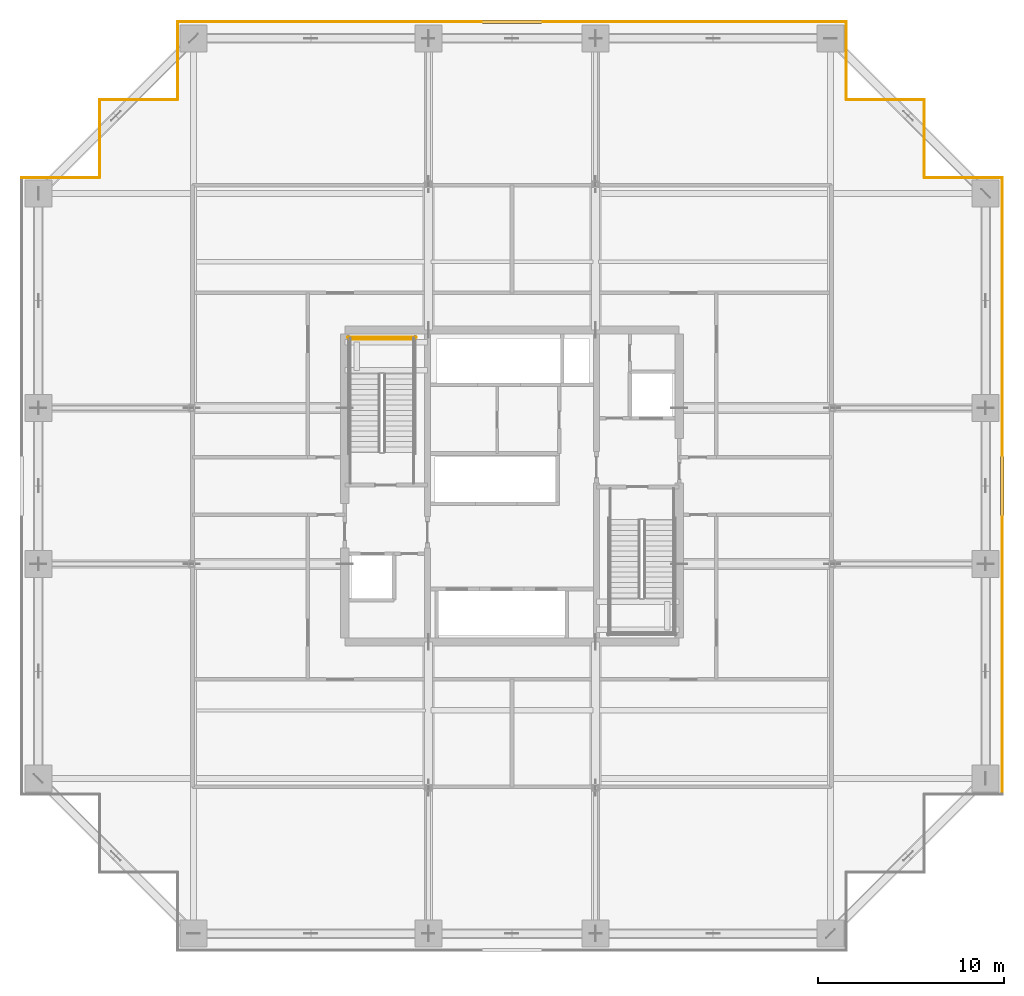
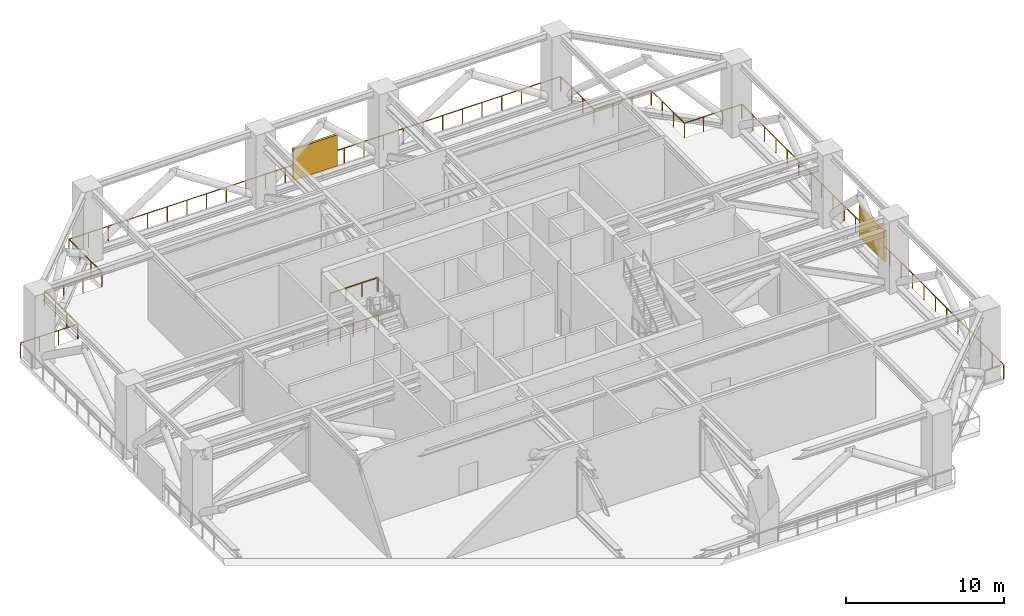
# One storey, part 21 of 21: 12 railings, 2 shading devices.
"""IFC4 building model written with IfcOpenShell, lengths in metres."""

from ifc_helpers import new_model, si_unit, direction, frame, origin, origin_2d, place, context, subcontext, project, spatial, rectangle, circle, extrude, source, transform, mapped, material, type_object, element, save


model = new_model("IFC4")

# Units and contexts
model_context = context("Model", 3, precision=1e-05, world=origin(), true_north=direction((0.0, 1.0)))
body_context = subcontext(model_context, "Body", "Model", "MODEL_VIEW")
ifc_project = project(units=[si_unit("LENGTHUNIT", "METRE"), si_unit("AREAUNIT", "SQUARE_METRE"), si_unit("VOLUMEUNIT", "CUBIC_METRE"), si_unit("PLANEANGLEUNIT", "RADIAN"), si_unit("MASSUNIT", "GRAM", prefix="KILO")], contexts=[model_context])

# Site, building, storey
site_placement = place(None, origin())
site = spatial("IfcSite", under=ifc_project, at=site_placement, CompositionType="ELEMENT")
building_placement = place(site_placement, origin())
building = spatial("IfcBuilding", under=site, at=building_placement, Name="Serunith Strait Residences", CompositionType="ELEMENT")
storey_placement = place(building_placement, frame((0.0, 0.0, 109.199951171875)))
storey = spatial("IfcBuildingStorey", under=building, at=storey_placement, Name="L27", CompositionType="ELEMENT", Elevation=109.199951171875)

# Railings
ifc_material_1 = material(Name="Brushed stainless steel 316L", Category="steel")
railing_type_1 = type_object("IfcRailingType", Name="RLG-STAIR-GUARD", PredefinedType="BALUSTRADE", material=ifc_material_1)
railing_1_placement = place(storey_placement, frame((27.14990234375, 33.10009765625, 3.0)))
element("IfcRailing", 1, at=railing_1_placement, inside=storey, type_object=railing_type_1, Name="L27 ST-1 stair guard 5", PredefinedType="BALUSTRADE", context=body_context, shape_type="SweptSolid", body=[
    extrude(circle(Radius=0.02392578125, at=origin_2d()), frame((-0.001953125, 0.0, 1.076171875), z_axis=(-1.0, 0.0, 0.0), x_axis=(0.0, -1.0, 0.0)), (0.0, 0.0, 1.0), 3.49609375),
    extrude(circle(Radius=0.02099609375, at=origin_2d()), origin(), (0.0, 0.0, 1.0), 1.050048828125),
    extrude(circle(Radius=0.02099609375, at=origin_2d()), frame((-1.166748046875, 0.0, 0.0)), (0.0, 0.0, 1.0), 1.050048828125),
    extrude(circle(Radius=0.02099609375, at=origin_2d()), frame((-2.333251953125, 0.0, 0.0)), (0.0, 0.0, 1.0), 1.050048828125),
    extrude(circle(Radius=0.02099609375, at=origin_2d()), frame((-3.5, 0.0, 0.0)), (0.0, 0.0, 1.0), 1.050048828125),
])
railing_2_placement = place(storey_placement, frame((27.25, 33.199951171875, 0.0)))
element("IfcRailing", 2, at=railing_2_placement, inside=storey, type_object=railing_type_1, Name="L27 ST-1 stair guard 12", PredefinedType="BALUSTRADE", context=body_context, shape_type="SweptSolid", body=[
    extrude(circle(Radius=0.02392578125, at=origin_2d()), frame((-0.001953125, 0.0, 1.076171875), z_axis=(-1.0, 0.0, 0.0), x_axis=(0.0, -1.0, 0.0)), (0.0, 0.0, 1.0), 3.696044921875),
    extrude(circle(Radius=0.02099609375, at=origin_2d()), origin(), (0.0, 0.0, 1.0), 1.050048828125),
    extrude(circle(Radius=0.02099609375, at=origin_2d()), frame((-0.925048828125, 0.0, 0.0)), (0.0, 0.0, 1.0), 1.050048828125),
    extrude(circle(Radius=0.02099609375, at=origin_2d()), frame((-1.85009765625, 0.0, 0.0)), (0.0, 0.0, 1.0), 1.050048828125),
    extrude(circle(Radius=0.02099609375, at=origin_2d()), frame((-2.77490234375, 0.0, 0.0)), (0.0, 0.0, 1.0), 1.050048828125),
    extrude(circle(Radius=0.02099609375, at=origin_2d()), frame((-3.699951171875, 0.0, 0.0)), (0.0, 0.0, 1.0), 1.050048828125),
])
ifc_material_2 = material(Name="Anodised Aluminium Wind-Floor Safety Guard", Category="aluminium")
railing_type_2 = type_object("IfcRailingType", Name="RLG-WIND-1150", PredefinedType="BALUSTRADE", material=ifc_material_2)
railing_3_placement = place(storey_placement, frame((58.800048828125, 8.60009765625, 0.0)))
element("IfcRailing", 3, at=railing_3_placement, inside=storey, type_object=railing_type_2, Name="L27 Porous Wind-Floor Safety Balustrade 06", PredefinedType="BALUSTRADE", context=body_context, shape_type="SweptSolid", body=[
    extrude(circle(Radius=0.02392578125, at=origin_2d()), frame((0.0, 0.001953125, 1.1259765625), z_axis=(0.0, 1.0, 0.0), x_axis=(-1.0, 0.0, 0.0)), (0.0, 0.0, 1.0), 33.196044921875),
    extrude(circle(Radius=0.02099609375, at=origin_2d()), origin(), (0.0, 0.0, 1.0), 1.099853515625),
    extrude(circle(Radius=0.02099609375, at=origin_2d()), frame((0.0, 1.443359375, 0.0)), (0.0, 0.0, 1.0), 1.099853515625),
    extrude(circle(Radius=0.02099609375, at=origin_2d()), frame((0.0, 2.886962890625, 0.0)), (0.0, 0.0, 1.0), 1.099853515625),
    extrude(circle(Radius=0.02099609375, at=origin_2d()), frame((0.0, 4.330322265625, 0.0)), (0.0, 0.0, 1.0), 1.099853515625),
    extrude(circle(Radius=0.02099609375, at=origin_2d()), frame((0.0, 5.77392578125, 0.0)), (0.0, 0.0, 1.0), 1.099853515625),
    extrude(circle(Radius=0.02099609375, at=origin_2d()), frame((0.0, 7.21728515625, 0.0)), (0.0, 0.0, 1.0), 1.099853515625),
    extrude(circle(Radius=0.02099609375, at=origin_2d()), frame((0.0, 8.660888671875, 0.0)), (0.0, 0.0, 1.0), 1.099853515625),
    extrude(circle(Radius=0.02099609375, at=origin_2d()), frame((0.0, 10.104248046875, 0.0)), (0.0, 0.0, 1.0), 1.099853515625),
    extrude(circle(Radius=0.02099609375, at=origin_2d()), frame((0.0, 11.5478515625, 0.0)), (0.0, 0.0, 1.0), 1.099853515625),
    extrude(circle(Radius=0.02099609375, at=origin_2d()), frame((0.0, 12.9912109375, 0.0)), (0.0, 0.0, 1.0), 1.099853515625),
    extrude(circle(Radius=0.02099609375, at=origin_2d()), frame((0.0, 14.434814453125, 0.0)), (0.0, 0.0, 1.0), 1.099853515625),
    extrude(circle(Radius=0.02099609375, at=origin_2d()), frame((0.0, 15.878173828125, 0.0)), (0.0, 0.0, 1.0), 1.099853515625),
    extrude(circle(Radius=0.02099609375, at=origin_2d()), frame((0.0, 17.32177734375, 0.0)), (0.0, 0.0, 1.0), 1.099853515625),
    extrude(circle(Radius=0.02099609375, at=origin_2d()), frame((0.0, 18.76513671875, 0.0)), (0.0, 0.0, 1.0), 1.099853515625),
    extrude(circle(Radius=0.02099609375, at=origin_2d()), frame((0.0, 20.208740234375, 0.0)), (0.0, 0.0, 1.0), 1.099853515625),
    extrude(circle(Radius=0.02099609375, at=origin_2d()), frame((0.0, 21.652099609375, 0.0)), (0.0, 0.0, 1.0), 1.099853515625),
    extrude(circle(Radius=0.02099609375, at=origin_2d()), frame((0.0, 23.095703125, 0.0)), (0.0, 0.0, 1.0), 1.099853515625),
    extrude(circle(Radius=0.02099609375, at=origin_2d()), frame((0.0, 24.5390625, 0.0)), (0.0, 0.0, 1.0), 1.099853515625),
    extrude(circle(Radius=0.02099609375, at=origin_2d()), frame((0.0, 25.982666015625, 0.0)), (0.0, 0.0, 1.0), 1.099853515625),
    extrude(circle(Radius=0.02099609375, at=origin_2d()), frame((0.0, 27.426025390625, 0.0)), (0.0, 0.0, 1.0), 1.099853515625),
    extrude(circle(Radius=0.02099609375, at=origin_2d()), frame((0.0, 28.86962890625, 0.0)), (0.0, 0.0, 1.0), 1.099853515625),
    extrude(circle(Radius=0.02099609375, at=origin_2d()), frame((0.0, 30.31298828125, 0.0)), (0.0, 0.0, 1.0), 1.099853515625),
    extrude(circle(Radius=0.02099609375, at=origin_2d()), frame((0.0, 31.756591796875, 0.0)), (0.0, 0.0, 1.0), 1.099853515625),
    extrude(circle(Radius=0.02099609375, at=origin_2d()), frame((0.0, 33.199951171875, 0.0)), (0.0, 0.0, 1.0), 1.099853515625),
])
railing_4_placement = place(storey_placement, frame((58.800048828125, 41.800048828125, 0.0)))
element("IfcRailing", 4, at=railing_4_placement, inside=storey, type_object=railing_type_2, Name="L27 Porous Wind-Floor Safety Balustrade 07", PredefinedType="BALUSTRADE", context=body_context, shape_type="SweptSolid", body=[
    extrude(circle(Radius=0.02392578125, at=origin_2d()), frame((-0.001953125, 0.0, 1.1259765625), z_axis=(-1.0, 0.0, 0.0), x_axis=(0.0, -1.0, 0.0)), (0.0, 0.0, 1.0), 4.196044921875),
    extrude(circle(Radius=0.02099609375, at=origin_2d()), origin(), (0.0, 0.0, 1.0), 1.099853515625),
    extrude(circle(Radius=0.02099609375, at=origin_2d()), frame((-1.39990234375, 0.0, 0.0)), (0.0, 0.0, 1.0), 1.099853515625),
    extrude(circle(Radius=0.02099609375, at=origin_2d()), frame((-2.800048828125, 0.0, 0.0)), (0.0, 0.0, 1.0), 1.099853515625),
    extrude(circle(Radius=0.02099609375, at=origin_2d()), frame((-4.199951171875, 0.0, 0.0)), (0.0, 0.0, 1.0), 1.099853515625),
])
railing_5_placement = place(storey_placement, frame((54.60009765625, 41.800048828125, 0.0)))
element("IfcRailing", 5, at=railing_5_placement, inside=storey, type_object=railing_type_2, Name="L27 Porous Wind-Floor Safety Balustrade 08", PredefinedType="BALUSTRADE", context=body_context, shape_type="SweptSolid", body=[
    extrude(circle(Radius=0.02392578125, at=origin_2d()), frame((0.0, 0.001953125, 1.1259765625), z_axis=(0.0, 1.0, 0.0), x_axis=(-1.0, 0.0, 0.0)), (0.0, 0.0, 1.0), 4.196044921875),
    extrude(circle(Radius=0.02099609375, at=origin_2d()), origin(), (0.0, 0.0, 1.0), 1.099853515625),
    extrude(circle(Radius=0.02099609375, at=origin_2d()), frame((0.0, 1.39990234375, 0.0)), (0.0, 0.0, 1.0), 1.099853515625),
    extrude(circle(Radius=0.02099609375, at=origin_2d()), frame((0.0, 2.800048828125, 0.0)), (0.0, 0.0, 1.0), 1.099853515625),
    extrude(circle(Radius=0.02099609375, at=origin_2d()), frame((0.0, 4.199951171875, 0.0)), (0.0, 0.0, 1.0), 1.099853515625),
])
railing_6_placement = place(storey_placement, frame((54.60009765625, 46.0, 0.0)))
element("IfcRailing", 6, at=railing_6_placement, inside=storey, type_object=railing_type_2, Name="L27 Porous Wind-Floor Safety Balustrade 09", PredefinedType="BALUSTRADE", context=body_context, shape_type="SweptSolid", body=[
    extrude(circle(Radius=0.02392578125, at=origin_2d()), frame((-0.001953125, 0.0, 1.1259765625), z_axis=(-1.0, 0.0, 0.0), x_axis=(0.0, -1.0, 0.0)), (0.0, 0.0, 1.0), 4.1962890625),
    extrude(circle(Radius=0.02099609375, at=origin_2d()), origin(), (0.0, 0.0, 1.0), 1.099853515625),
    extrude(circle(Radius=0.02099609375, at=origin_2d()), frame((-1.400146484375, 0.0, 0.0)), (0.0, 0.0, 1.0), 1.099853515625),
    extrude(circle(Radius=0.02099609375, at=origin_2d()), frame((-2.800048828125, 0.0, 0.0)), (0.0, 0.0, 1.0), 1.099853515625),
    extrude(circle(Radius=0.02099609375, at=origin_2d()), frame((-4.2001953125, 0.0, 0.0)), (0.0, 0.0, 1.0), 1.099853515625),
])
railing_7_placement = place(storey_placement, frame((50.39990234375, 46.0, 0.0)))
element("IfcRailing", 7, at=railing_7_placement, inside=storey, type_object=railing_type_2, Name="L27 Porous Wind-Floor Safety Balustrade 10", PredefinedType="BALUSTRADE", context=body_context, shape_type="SweptSolid", body=[
    extrude(circle(Radius=0.02392578125, at=origin_2d()), frame((0.0, 0.001953125, 1.1259765625), z_axis=(0.0, 1.0, 0.0), x_axis=(-1.0, 0.0, 0.0)), (0.0, 0.0, 1.0), 4.196044921875),
    extrude(circle(Radius=0.02099609375, at=origin_2d()), origin(), (0.0, 0.0, 1.0), 1.099853515625),
    extrude(circle(Radius=0.02099609375, at=origin_2d()), frame((0.0, 1.39990234375, 0.0)), (0.0, 0.0, 1.0), 1.099853515625),
    extrude(circle(Radius=0.02099609375, at=origin_2d()), frame((0.0, 2.800048828125, 0.0)), (0.0, 0.0, 1.0), 1.099853515625),
    extrude(circle(Radius=0.02099609375, at=origin_2d()), frame((0.0, 4.199951171875, 0.0)), (0.0, 0.0, 1.0), 1.099853515625),
])
railing_8_placement = place(storey_placement, frame((50.39990234375, 50.199951171875, 0.0)))
element("IfcRailing", 8, at=railing_8_placement, inside=storey, type_object=railing_type_2, Name="L27 Porous Wind-Floor Safety Balustrade 11", PredefinedType="BALUSTRADE", context=body_context, shape_type="SweptSolid", body=[
    extrude(circle(Radius=0.02392578125, at=origin_2d()), frame((-0.001953125, 0.0, 1.1259765625), z_axis=(-1.0, 0.0, 0.0), x_axis=(0.0, -1.0, 0.0)), (0.0, 0.0, 1.0), 35.99609375),
    extrude(circle(Radius=0.02099609375, at=origin_2d()), origin(), (0.0, 0.0, 1.0), 1.099853515625),
    extrude(circle(Radius=0.02099609375, at=origin_2d()), frame((-1.43994140625, 0.0, 0.0)), (0.0, 0.0, 1.0), 1.099853515625),
    extrude(circle(Radius=0.02099609375, at=origin_2d()), frame((-2.8798828125, 0.0, 0.0)), (0.0, 0.0, 1.0), 1.099853515625),
    extrude(circle(Radius=0.02099609375, at=origin_2d()), frame((-4.320068359375, 0.0, 0.0)), (0.0, 0.0, 1.0), 1.099853515625),
    extrude(circle(Radius=0.02099609375, at=origin_2d()), frame((-5.760009765625, 0.0, 0.0)), (0.0, 0.0, 1.0), 1.099853515625),
    extrude(circle(Radius=0.02099609375, at=origin_2d()), frame((-7.199951171875, 0.0, 0.0)), (0.0, 0.0, 1.0), 1.099853515625),
    extrude(circle(Radius=0.02099609375, at=origin_2d()), frame((-8.639892578125, 0.0, 0.0)), (0.0, 0.0, 1.0), 1.099853515625),
    extrude(circle(Radius=0.02099609375, at=origin_2d()), frame((-10.080078125, 0.0, 0.0)), (0.0, 0.0, 1.0), 1.099853515625),
    extrude(circle(Radius=0.02099609375, at=origin_2d()), frame((-11.52001953125, 0.0, 0.0)), (0.0, 0.0, 1.0), 1.099853515625),
    extrude(circle(Radius=0.02099609375, at=origin_2d()), frame((-12.9599609375, 0.0, 0.0)), (0.0, 0.0, 1.0), 1.099853515625),
    extrude(circle(Radius=0.02099609375, at=origin_2d()), frame((-14.39990234375, 0.0, 0.0)), (0.0, 0.0, 1.0), 1.099853515625),
    extrude(circle(Radius=0.02099609375, at=origin_2d()), frame((-15.840087890625, 0.0, 0.0)), (0.0, 0.0, 1.0), 1.099853515625),
    extrude(circle(Radius=0.02099609375, at=origin_2d()), frame((-17.280029296875, 0.0, 0.0)), (0.0, 0.0, 1.0), 1.099853515625),
    extrude(circle(Radius=0.02099609375, at=origin_2d()), frame((-18.719970703125, 0.0, 0.0)), (0.0, 0.0, 1.0), 1.099853515625),
    extrude(circle(Radius=0.02099609375, at=origin_2d()), frame((-20.159912109375, 0.0, 0.0)), (0.0, 0.0, 1.0), 1.099853515625),
    extrude(circle(Radius=0.02099609375, at=origin_2d()), frame((-21.60009765625, 0.0, 0.0)), (0.0, 0.0, 1.0), 1.099853515625),
    extrude(circle(Radius=0.02099609375, at=origin_2d()), frame((-23.0400390625, 0.0, 0.0)), (0.0, 0.0, 1.0), 1.099853515625),
    extrude(circle(Radius=0.02099609375, at=origin_2d()), frame((-24.47998046875, 0.0, 0.0)), (0.0, 0.0, 1.0), 1.099853515625),
    extrude(circle(Radius=0.02099609375, at=origin_2d()), frame((-25.919921875, 0.0, 0.0)), (0.0, 0.0, 1.0), 1.099853515625),
    extrude(circle(Radius=0.02099609375, at=origin_2d()), frame((-27.360107421875, 0.0, 0.0)), (0.0, 0.0, 1.0), 1.099853515625),
    extrude(circle(Radius=0.02099609375, at=origin_2d()), frame((-28.800048828125, 0.0, 0.0)), (0.0, 0.0, 1.0), 1.099853515625),
    extrude(circle(Radius=0.02099609375, at=origin_2d()), frame((-30.239990234375, 0.0, 0.0)), (0.0, 0.0, 1.0), 1.099853515625),
    extrude(circle(Radius=0.02099609375, at=origin_2d()), frame((-31.679931640625, 0.0, 0.0)), (0.0, 0.0, 1.0), 1.099853515625),
    extrude(circle(Radius=0.02099609375, at=origin_2d()), frame((-33.1201171875, 0.0, 0.0)), (0.0, 0.0, 1.0), 1.099853515625),
    extrude(circle(Radius=0.02099609375, at=origin_2d()), frame((-34.56005859375, 0.0, 0.0)), (0.0, 0.0, 1.0), 1.099853515625),
    extrude(circle(Radius=0.02099609375, at=origin_2d()), frame((-36.0, 0.0, 0.0)), (0.0, 0.0, 1.0), 1.099853515625),
])
railing_9_placement = place(storey_placement, frame((14.39990234375, 50.199951171875, 0.0)))
element("IfcRailing", 9, at=railing_9_placement, inside=storey, type_object=railing_type_2, Name="L27 Porous Wind-Floor Safety Balustrade 12", PredefinedType="BALUSTRADE", context=body_context, shape_type="SweptSolid", body=[
    extrude(circle(Radius=0.02392578125, at=origin_2d()), frame((0.0, -0.001953125, 1.1259765625), z_axis=(0.0, -1.0, 0.0), x_axis=(1.0, 0.0, 0.0)), (0.0, 0.0, 1.0), 4.196044921875),
    extrude(circle(Radius=0.02099609375, at=origin_2d()), origin(), (0.0, 0.0, 1.0), 1.099853515625),
    extrude(circle(Radius=0.02099609375, at=origin_2d()), frame((0.0, -1.39990234375, 0.0)), (0.0, 0.0, 1.0), 1.099853515625),
    extrude(circle(Radius=0.02099609375, at=origin_2d()), frame((0.0, -2.800048828125, 0.0)), (0.0, 0.0, 1.0), 1.099853515625),
    extrude(circle(Radius=0.02099609375, at=origin_2d()), frame((0.0, -4.199951171875, 0.0)), (0.0, 0.0, 1.0), 1.099853515625),
])
railing_10_placement = place(storey_placement, frame((14.39990234375, 46.0, 0.0)))
element("IfcRailing", 10, at=railing_10_placement, inside=storey, type_object=railing_type_2, Name="L27 Porous Wind-Floor Safety Balustrade 13", PredefinedType="BALUSTRADE", context=body_context, shape_type="SweptSolid", body=[
    extrude(circle(Radius=0.02392578125, at=origin_2d()), frame((-0.001953125, 0.0, 1.1259765625), z_axis=(-1.0, 0.0, 0.0), x_axis=(0.0, -1.0, 0.0)), (0.0, 0.0, 1.0), 4.196044921875),
    extrude(circle(Radius=0.02099609375, at=origin_2d()), origin(), (0.0, 0.0, 1.0), 1.099853515625),
    extrude(circle(Radius=0.02099609375, at=origin_2d()), frame((-1.39990234375, 0.0, 0.0)), (0.0, 0.0, 1.0), 1.099853515625),
    extrude(circle(Radius=0.02099609375, at=origin_2d()), frame((-2.800048828125, 0.0, 0.0)), (0.0, 0.0, 1.0), 1.099853515625),
    extrude(circle(Radius=0.02099609375, at=origin_2d()), frame((-4.199951171875, 0.0, 0.0)), (0.0, 0.0, 1.0), 1.099853515625),
])
railing_11_placement = place(storey_placement, frame((10.199951171875, 46.0, 0.0)))
element("IfcRailing", 11, at=railing_11_placement, inside=storey, type_object=railing_type_2, Name="L27 Porous Wind-Floor Safety Balustrade 14", PredefinedType="BALUSTRADE", context=body_context, shape_type="SweptSolid", body=[
    extrude(circle(Radius=0.02392578125, at=origin_2d()), frame((0.0, -0.001953125, 1.1259765625), z_axis=(0.0, -1.0, 0.0), x_axis=(1.0, 0.0, 0.0)), (0.0, 0.0, 1.0), 4.196044921875),
    extrude(circle(Radius=0.02099609375, at=origin_2d()), origin(), (0.0, 0.0, 1.0), 1.099853515625),
    extrude(circle(Radius=0.02099609375, at=origin_2d()), frame((0.0, -1.39990234375, 0.0)), (0.0, 0.0, 1.0), 1.099853515625),
    extrude(circle(Radius=0.02099609375, at=origin_2d()), frame((0.0, -2.800048828125, 0.0)), (0.0, 0.0, 1.0), 1.099853515625),
    extrude(circle(Radius=0.02099609375, at=origin_2d()), frame((0.0, -4.199951171875, 0.0)), (0.0, 0.0, 1.0), 1.099853515625),
])
railing_12_placement = place(storey_placement, frame((10.199951171875, 41.800048828125, 0.0)))
element("IfcRailing", 12, at=railing_12_placement, inside=storey, type_object=railing_type_2, Name="L27 Porous Wind-Floor Safety Balustrade 15", PredefinedType="BALUSTRADE", context=body_context, shape_type="SweptSolid", body=[
    extrude(circle(Radius=0.02392578125, at=origin_2d()), frame((-0.001953125, 0.0, 1.1259765625), z_axis=(-1.0, 0.0, 0.0), x_axis=(0.0, -1.0, 0.0)), (0.0, 0.0, 1.0), 4.196044921875),
    extrude(circle(Radius=0.02099609375, at=origin_2d()), origin(), (0.0, 0.0, 1.0), 1.099853515625),
    extrude(circle(Radius=0.02099609375, at=origin_2d()), frame((-1.39990234375, 0.0, 0.0)), (0.0, 0.0, 1.0), 1.099853515625),
    extrude(circle(Radius=0.02099609375, at=origin_2d()), frame((-2.800048828125, 0.0, 0.0)), (0.0, 0.0, 1.0), 1.099853515625),
    extrude(circle(Radius=0.02099609375, at=origin_2d()), frame((-4.199951171875, 0.0, 0.0)), (0.0, 0.0, 1.0), 1.099853515625),
])

# Shading devices
ifc_material_3 = material(Name="Anodised Aluminium Acoustic Storm Louvre", Category="aluminium")
shading_device_type = type_object("IfcShadingDeviceType", Name="SHD-WIND-LOUV", PredefinedType="JALOUSIE", material=ifc_material_3)
shared_shape = source(origin(), body_context, "Body", "SweptSolid", [
    extrude(rectangle(XDim=3.199951171875, YDim=0.179931640625, at=origin_2d()), origin(), (0.0, 0.0, 1.0), 2.39990234375),
])
for number, where, z_axis, x_axis, name in (
    (13, (58.800048828125, 25.199951171875, 0.0), (0.0, 0.0, 1.0), (0.0, 1.0, 0.0), "L27 Acoustic Wind-Floor Louvre E"),
    (14, (32.39990234375, 50.199951171875, 0.0), (0.0, 0.0, 1.0), (1.0, 0.0, 0.0), "L27 Acoustic Wind-Floor Louvre N"),
):
    element("IfcShadingDevice", number, at=place(storey_placement, frame(where, z_axis=z_axis, x_axis=x_axis)), inside=storey, type_object=shading_device_type, Name=name, PredefinedType="JALOUSIE", context=body_context, shape_type="MappedRepresentation", body=[
        mapped(shared_shape, transform((0.0, 0.0, 0.0), scale=1.0)),
    ])

save(model, "model.ifc")
